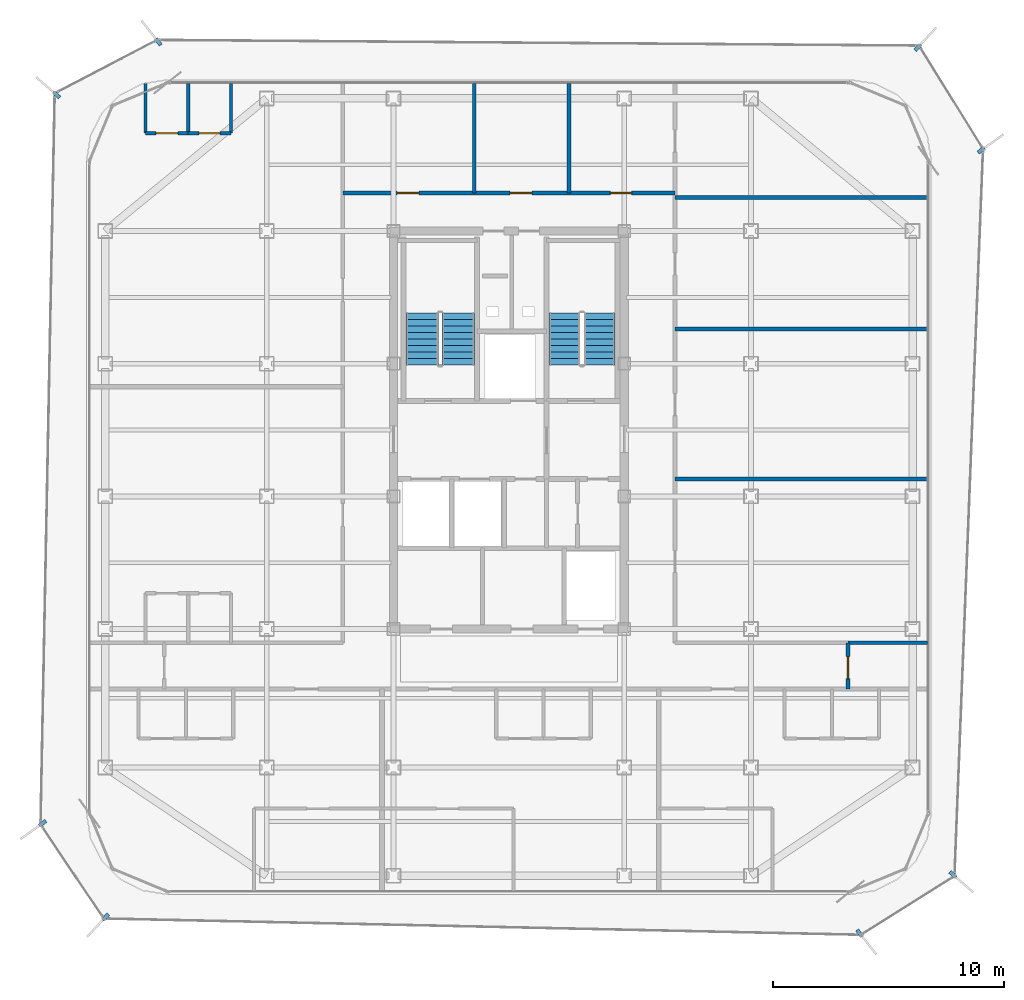
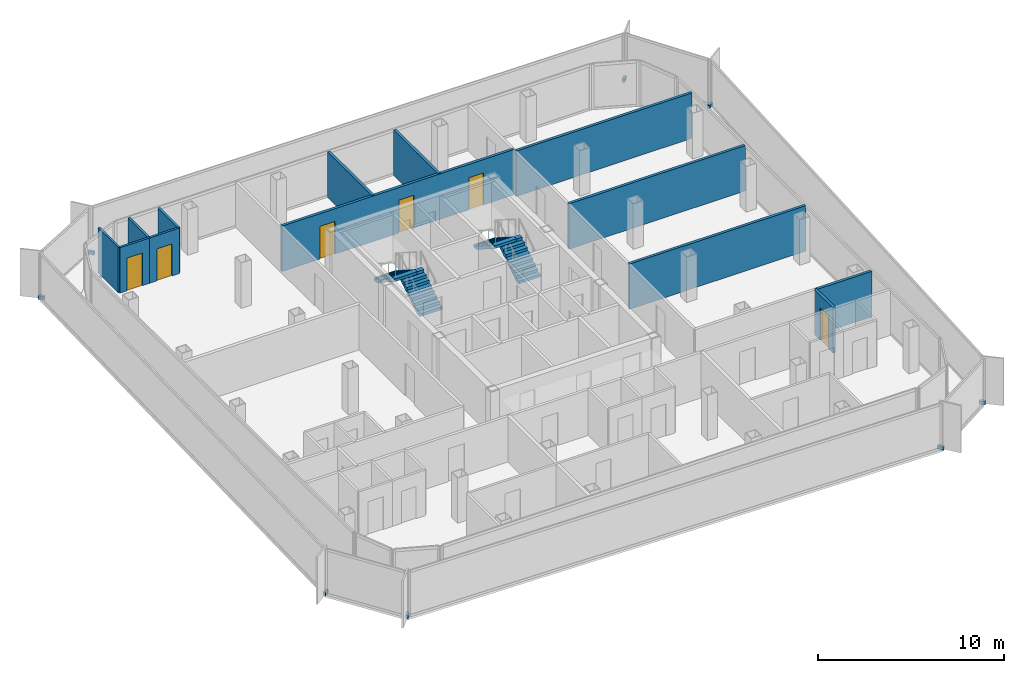
# One storey, part 12 of 15: 13 walls, 8 discrete accessories, 6 doors, 4 stair flights, 6 openings, 2 elements without a shape of their own.
"""IFC4 building model written with IfcOpenShell, lengths in metres."""

import ifcopenshell
import ifcopenshell.guid

model = None  # the IFC model being written
_history = None  # IfcOwnerHistory: only IFC2X3 demands one
_inside = {}  # id of a spatial element -> (the spatial element, [elements in it])
_under = {}  # id of a project, library or spatial element -> (it, [spatial elements below it])
_declared = {}  # id of a project -> (the project, [libraries it declares])
_typed = {}  # id of a type object -> (the type object, [elements of that type])
_made_of = {}  # id of a material, layer set ... -> (it, [elements and type objects made of it])


def new_model(schema):
    """Start an empty IFC model of exactly this schema.

    Asked for "IFC4X3", IfcOpenShell would pick the latest addendum, in which some entities
    have other attributes; the version numbers below select the first issue.
    IFC2X3 requires an IfcOwnerHistory on every rooted entity: one is made here for all.
    """
    global model, _history
    if schema == "IFC4X3":
        model = ifcopenshell.file(schema_version=(4, 3, 0, 0))
    else:
        model = ifcopenshell.file(schema=schema)
    _inside.clear()
    _under.clear()
    _declared.clear()
    _typed.clear()
    _made_of.clear()
    _history = None
    if model.schema == "IFC2X3":
        org = make("IfcOrganization", Name="unknown")
        user = make(
            "IfcPersonAndOrganization",
            ThePerson=make("IfcPerson", FamilyName="unknown"),
            TheOrganization=org,
        )
        app = make(
            "IfcApplication",
            ApplicationDeveloper=org,
            Version="unknown",
            ApplicationFullName="unknown",
            ApplicationIdentifier="unknown",
        )
        _history = make(
            "IfcOwnerHistory",
            OwningUser=user,
            OwningApplication=app,
            ChangeAction="ADDED",
            CreationDate=0,
        )
    return model


def make(cls, **values):
    """One entity of the class cls with the attributes given. An attribute that is None is left unset."""
    return model.create_entity(
        cls, **{name: value for name, value in values.items() if value is not None}
    )


def rooted(cls, **values):
    """An entity with a GlobalId (a new one), such as an element, a storey or a relation."""
    return make(cls, GlobalId=ifcopenshell.guid.new(), OwnerHistory=_history, **values)


def si_unit(unit_type, name, prefix=None):
    """IfcSIUnit, for example si_unit("LENGTHUNIT", "METRE", prefix="MILLI")."""
    return make("IfcSIUnit", UnitType=unit_type, Prefix=prefix, Name=name)


def assignment(units):
    """IfcUnitAssignment: the units of a project."""
    return None if units is None else make("IfcUnitAssignment", Units=units)


def point(xyz):
    """IfcCartesianPoint."""
    return None if xyz is None else make("IfcCartesianPoint", Coordinates=xyz)


def direction(xyz):
    """IfcDirection."""
    return None if xyz is None else make("IfcDirection", DirectionRatios=xyz)


def frame(location, z_axis=None, x_axis=None):
    """IfcAxis2Placement3D, a coordinate frame: its origin and axes. An axis left out is left unset."""
    return make(
        "IfcAxis2Placement3D",
        Location=point(location),
        Axis=direction(z_axis),
        RefDirection=direction(x_axis),
    )


def frame_2d(location, x_axis=None):
    """IfcAxis2Placement2D, a coordinate frame in the plane: its origin and x axis."""
    return make(
        "IfcAxis2Placement2D", Location=point(location), RefDirection=direction(x_axis)
    )


def origin():
    """The frame at (0, 0, 0) with its axes left unset."""
    return frame((0.0, 0.0, 0.0))


def origin_2d():
    """The frame at (0, 0) in the plane with its x axis left unset."""
    return frame_2d((0.0, 0.0))


def place(relative_to, where):
    """IfcLocalPlacement: puts the frame where relative to a parent placement (None: the world)."""
    return make(
        "IfcLocalPlacement", PlacementRelTo=relative_to, RelativePlacement=where
    )


def context(
    kind, dimensions, precision=None, world=None, true_north=None, identifier=None
):
    """IfcGeometricRepresentationContext, for example the 3D "Model" context."""
    return make(
        "IfcGeometricRepresentationContext",
        ContextIdentifier=identifier,
        ContextType=kind,
        CoordinateSpaceDimension=dimensions,
        Precision=precision,
        WorldCoordinateSystem=world,
        TrueNorth=true_north,
    )


def subcontext(parent, identifier, kind, view, scale=None):
    """IfcGeometricRepresentationSubContext, for example "Body" below "Model"."""
    return make(
        "IfcGeometricRepresentationSubContext",
        ContextIdentifier=identifier,
        ContextType=kind,
        ParentContext=parent,
        TargetScale=scale,
        TargetView=view,
    )


def project(units=None, contexts=None):
    """IfcProject with its units and contexts."""
    return rooted(
        "IfcProject",
        Name="project",
        RepresentationContexts=contexts,
        UnitsInContext=assignment(units),
    )


def spatial(cls, under=None, at=None, **own):
    """A site, building, storey or space (cls), placed at a placement, below another one or the project."""
    s = rooted(cls, ObjectPlacement=at, **own)
    if under is not None:
        _under.setdefault(under.id(), (under, []))[1].append(s)
    return s


def polyline(points):
    """IfcPolyline through the points."""
    return make("IfcPolyline", Points=[point(p) for p in points])


def profile(cls, at=None, kind="AREA", **sizes):
    """A parametric profile (cls). Its sizes go by their IFC names, for example OverallWidth=200.0."""
    return make(cls, ProfileType=kind, Position=at, **sizes)


def rectangle(**sizes):
    """IfcRectangleProfileDef."""
    return profile("IfcRectangleProfileDef", **sizes)


def outline(outer, holes=None, kind="AREA"):
    """IfcArbitraryClosedProfileDef: a profile drawn as a closed curve; with holes, ...WithVoids."""
    if holes is None:
        return make("IfcArbitraryClosedProfileDef", ProfileType=kind, OuterCurve=outer)
    return make(
        "IfcArbitraryProfileDefWithVoids",
        ProfileType=kind,
        OuterCurve=outer,
        InnerCurves=holes,
    )


def extrude(swept, where, along, depth):
    """IfcExtrudedAreaSolid: the profile swept, set in the frame where, extruded along a direction by depth."""
    return make(
        "IfcExtrudedAreaSolid",
        SweptArea=swept,
        Position=where,
        ExtrudedDirection=direction(along),
        Depth=depth,
    )


def shape(context_of_items, identifier, shape_type, items):
    """IfcShapeRepresentation: the items that make up one representation, for example the "Body"."""
    return make(
        "IfcShapeRepresentation",
        ContextOfItems=context_of_items,
        RepresentationIdentifier=identifier,
        RepresentationType=shape_type,
        Items=items,
    )


def source(mapping_origin, context_of_items, identifier, shape_type, items):
    """IfcRepresentationMap: a shape defined once, which mapped items show again and again."""
    return make(
        "IfcRepresentationMap",
        MappingOrigin=mapping_origin,
        MappedRepresentation=shape(context_of_items, identifier, shape_type, items),
    )


def transform(
    local_origin,
    x_axis=None,
    y_axis=None,
    z_axis=None,
    scale=None,
    scale2=None,
    scale3=None,
    uniform=True,
):
    """IfcCartesianTransformationOperator3D, or its non-uniform kind. x_axis, y_axis, z_axis: its Axis1, 2, 3."""
    if uniform:
        return make(
            "IfcCartesianTransformationOperator3D",
            Axis1=direction(x_axis),
            Axis2=direction(y_axis),
            LocalOrigin=point(local_origin),
            Scale=scale,
            Axis3=direction(z_axis),
        )
    return make(
        "IfcCartesianTransformationOperator3DnonUniform",
        Axis1=direction(x_axis),
        Axis2=direction(y_axis),
        LocalOrigin=point(local_origin),
        Scale=scale,
        Axis3=direction(z_axis),
        Scale2=scale2,
        Scale3=scale3,
    )


def mapped(mapping_source, mapping_target):
    """IfcMappedItem: shows the shape of a source again, moved by a transform."""
    return make(
        "IfcMappedItem", MappingSource=mapping_source, MappingTarget=mapping_target
    )


def material(Name=None, Category=None):
    """IfcMaterial."""
    return make("IfcMaterial", Name=Name, Category=Category)


def layer(
    of_material, thickness, ventilated=None, Name=None, Category=None, Priority=None
):
    """IfcMaterialLayer: one layer of a wall or slab, of a material (None: an air gap)."""
    return make(
        "IfcMaterialLayer",
        Material=of_material,
        LayerThickness=thickness,
        IsVentilated=ventilated,
        Name=Name,
        Category=Category,
        Priority=Priority,
    )


def layer_set(layers, Name=None):
    """IfcMaterialLayerSet."""
    return make("IfcMaterialLayerSet", MaterialLayers=layers, LayerSetName=Name)


def made_of(thing, what):
    """Note that an element or type object is made of a material, layer set ...; save() writes the relation."""
    if what is not None:
        _made_of.setdefault(what.id(), (what, []))[1].append(thing)
    return thing


def type_object(cls, material=None, **own):
    """A type object (cls), such as IfcWallType, which elements share."""
    return made_of(rooted(cls, **own), material)


def element(
    cls,
    number,
    at=None,
    inside=None,
    cuts=None,
    type_object=None,
    material=None,
    context=None,
    identifier="Body",
    shape_type=None,
    held_by="IfcProductDefinitionShape",
    body=None,
    shapes=None,
    **own,
):
    """One element of the class cls, such as IfcWall. Its Tag is "e" and its number.

    at: its placement. inside: the storey or other place that contains it. cuts: it is an
    opening in that element (IfcRelVoidsElement). A single representation is given by context,
    identifier, shape_type and body (its items); several are given by shapes. held_by: the class
    of the entity that holds the representations. save() writes the other relations.
    """
    e = rooted(cls, Tag="e%d" % number, ObjectPlacement=at, **own)
    if body is not None:
        shapes = [shape(context, identifier, shape_type, body)]
    if shapes is not None:
        e.Representation = make(held_by, Representations=shapes)
    if inside is not None:
        _inside.setdefault(inside.id(), (inside, []))[1].append(e)
    if cuts is not None:
        rooted(
            "IfcRelVoidsElement", RelatingBuildingElement=cuts, RelatedOpeningElement=e
        )
    if type_object is not None:
        _typed.setdefault(type_object.id(), (type_object, []))[1].append(e)
    return made_of(e, material)


def fill(opening, filler):
    """IfcRelFillsElement: the door or window that sits in an opening."""
    return rooted(
        "IfcRelFillsElement",
        RelatingOpeningElement=opening,
        RelatedBuildingElement=filler,
    )


def aggregate(whole, parts):
    """IfcRelAggregates: a whole, such as a stair, and the parts it consists of."""
    return rooted("IfcRelAggregates", RelatingObject=whole, RelatedObjects=parts)


def save(model, path):
    """Write the relations noted so far, then the file.

    IfcRelAggregates (storeys below a building ...), IfcRelContainedInSpatialStructure (elements
    in a storey), IfcRelDefinesByType, IfcRelAssociatesMaterial and IfcRelDeclares: one each for
    every whole, place, type object, material and project.
    """
    for whole, parts in _under.values():
        aggregate(whole, parts)
    for where, things in _inside.values():
        rooted(
            "IfcRelContainedInSpatialStructure",
            RelatedElements=things,
            RelatingStructure=where,
        )
    for kind, things in _typed.values():
        rooted("IfcRelDefinesByType", RelatedObjects=things, RelatingType=kind)
    for what, things in _made_of.values():
        rooted("IfcRelAssociatesMaterial", RelatedObjects=things, RelatingMaterial=what)
    for by, libraries in _declared.values():
        rooted("IfcRelDeclares", RelatingContext=by, RelatedDefinitions=libraries)
    model.write(path)


model = new_model("IFC4")

# Units and contexts
model_context = context("Model", 3, precision=1e-05, world=origin(), true_north=direction((0.0, 1.0)))
body_context = subcontext(model_context, "Body", "Model", "MODEL_VIEW")
ifc_project = project(units=[si_unit("LENGTHUNIT", "METRE"), si_unit("AREAUNIT", "SQUARE_METRE"), si_unit("VOLUMEUNIT", "CUBIC_METRE"), si_unit("PLANEANGLEUNIT", "RADIAN"), si_unit("MASSUNIT", "GRAM", prefix="KILO")], contexts=[model_context])

# Site, building, storey
site_placement = place(None, origin())
site = spatial("IfcSite", under=ifc_project, at=site_placement, CompositionType="ELEMENT")
building_placement = place(site_placement, origin())
building = spatial("IfcBuilding", under=site, at=building_placement, Name="Kolveth Station Tower", CompositionType="ELEMENT")
storey_placement = place(building_placement, frame((0.0, 0.0, 223.300048828125)))
storey = spatial("IfcBuildingStorey", under=building, at=storey_placement, Name="L63", CompositionType="ELEMENT", Elevation=223.300048828125)

# Wall, opening, door
ifc_material_1 = material(Name="Moisture-resistant gypsum partition")
ifc_layer_1 = layer(ifc_material_1, 0.135009765625)
ifc_layer_set_1 = layer_set([ifc_layer_1], Name="Moisture-resistant gypsum partition")
wall_type_1 = type_object("IfcWallType", Name="Wall_IW-135", PredefinedType="PARTITIONING", material=ifc_layer_set_1)
wall_1_placement = place(storey_placement, frame((7.75, 32.989990234375, 0.0), z_axis=(0.0, 0.0, 1.0), x_axis=(1.0, 0.0, 0.0)))
wall_1 = element("IfcWall", 1, at=wall_1_placement, inside=storey, type_object=wall_type_1, Name="L63 Partition Wall WL-L63-W2-IBHK", PredefinedType="PARTITIONING", context=body_context, shape_type="SweptSolid", body=[
    extrude(rectangle(XDim=1.85009765625, YDim=0.135009765625, at=frame_2d((0.925048828125, 0.0))), origin(), (0.0, 0.0, 1.0), 2.97998046875),
])
opening_1_placement = place(wall_1_placement, frame((0.445068359375, 0.0, 0.0)))
opening_1 = element("IfcOpeningElement", 2, at=opening_1_placement, cuts=wall_1, Name="Opening ID1", PredefinedType="OPENING", context=body_context, shape_type="SweptSolid", body=[
    extrude(rectangle(XDim=0.949951171875, YDim=2.14990234375, at=frame_2d((0.47509765625, 1.074951171875))), frame((0.0, 0.077392578125, 0.0), z_axis=(0.0, -1.0, 0.0), x_axis=(1.0, 0.0, 0.0)), (0.0, 0.0, 1.0), 0.155029296875),
])
ifc_material_2 = material(Name="Acoustic hardwood leaf and aluminium frame", Category="wood")
door_type_1 = type_object("IfcDoorType", Name="Door_ID1", OperationType="NOTDEFINED", PredefinedType="DOOR", material=ifc_material_2)
door_1_placement = place(opening_1_placement, frame((0.949951171875, 0.0, 0.0), z_axis=(0.0, 0.0, 1.0), x_axis=(-1.0, 0.0, 0.0)))
door_1 = element("IfcDoor", 3, at=door_1_placement, inside=storey, type_object=door_type_1, Name="Penthouse Flat L63-W2 Kitchen Door", OperationType="SINGLE_SWING_RIGHT", OverallHeight=2.14990234375, OverallWidth=0.949951171875, PredefinedType="DOOR", context=body_context, shape_type="SweptSolid", body=[
    extrude(rectangle(XDim=0.949951171875, YDim=2.14990234375, at=frame_2d((0.47509765625, 1.074951171875))), frame((0.0, 0.02490234375, 0.0), z_axis=(0.0, -1.0, 0.0), x_axis=(1.0, 0.0, 0.0)), (0.0, 0.0, 1.0), 0.050048828125),
])
fill(opening_1, door_1)

wall_2_placement = place(storey_placement, frame((9.60009765625, 32.989990234375, 0.0), z_axis=(0.0, 0.0, 1.0), x_axis=(1.0, 0.0, 0.0)))
wall_2 = element("IfcWall", 4, at=wall_2_placement, inside=storey, type_object=wall_type_1, Name="L63 Partition Wall WL-L63-W2-IBHB", PredefinedType="PARTITIONING", context=body_context, shape_type="SweptSolid", body=[
    extrude(rectangle(XDim=1.849853515625, YDim=0.135009765625, at=frame_2d((0.9248046875, 0.0))), origin(), (0.0, 0.0, 1.0), 2.97998046875),
])
opening_2_placement = place(wall_2_placement, frame((0.465087890625, 0.0, 0.0)))
opening_2 = element("IfcOpeningElement", 5, at=opening_2_placement, cuts=wall_2, Name="Opening ID2", PredefinedType="OPENING", context=body_context, shape_type="SweptSolid", body=[
    extrude(rectangle(XDim=0.919921875, YDim=2.10009765625, at=frame_2d((0.4599609375, 1.050048828125))), frame((0.0, 0.077392578125, 0.0), z_axis=(0.0, -1.0, 0.0), x_axis=(1.0, 0.0, 0.0)), (0.0, 0.0, 1.0), 0.155029296875),
])
ifc_material_3 = material(Name="Moisture-resistant hardwood leaf", Category="wood")
door_type_2 = type_object("IfcDoorType", Name="Door_ID2", OperationType="NOTDEFINED", PredefinedType="DOOR", material=ifc_material_3)
door_2_placement = place(opening_2_placement, frame((0.919921875, 0.0, 0.0), z_axis=(0.0, 0.0, 1.0), x_axis=(-1.0, 0.0, 0.0)))
door_2 = element("IfcDoor", 6, at=door_2_placement, inside=storey, type_object=door_type_2, Name="Penthouse Flat L63-W2 Bathroom Door", OperationType="SINGLE_SWING_LEFT", OverallHeight=2.10009765625, OverallWidth=0.919921875, PredefinedType="DOOR", context=body_context, shape_type="SweptSolid", body=[
    extrude(rectangle(XDim=0.919921875, YDim=2.10009765625, at=frame_2d((0.4599609375, 1.050048828125))), frame((0.0, 0.02490234375, 0.0), z_axis=(0.0, -1.0, 0.0), x_axis=(1.0, 0.0, 0.0)), (0.0, 0.0, 1.0), 0.050048828125),
])
fill(opening_2, door_2)

# Walls
for number, where, z_axis, x_axis, name in (
    (7, (7.75, 32.989990234375, 0.0), (0.0, 0.0, 1.0), (0.0, 1.0, 0.0), "L63 Partition Wall WL-L63-W2-IBV0"),
    (8, (9.60009765625, 32.989990234375, 0.0), (0.0, 0.0, 1.0), (0.0, 1.0, 0.0), "L63 Partition Wall WL-L63-W2-IBV1"),
    (9, (11.449951171875, 32.989990234375, 0.0), (0.0, 0.0, 1.0), (0.0, 1.0, 0.0), "L63 Partition Wall WL-L63-W2-IBV2"),
):
    element("IfcWall", number, at=place(storey_placement, frame(where, z_axis=z_axis, x_axis=x_axis)), inside=storey, type_object=wall_type_1, Name=name, PredefinedType="PARTITIONING", context=body_context, shape_type="SweptSolid", body=[
        extrude(rectangle(XDim=2.14990234375, YDim=0.135009765625, at=frame_2d((1.074951171875, 0.0))), origin(), (0.0, 0.0, 1.0), 2.97998046875),
    ])

# Wall, opening, door
ifc_material_4 = material(Name="Acoustic double-stud gypsum partition")
ifc_layer_2 = layer(ifc_material_4, 0.1650390625)
ifc_layer_set_2 = layer_set([ifc_layer_2], Name="Acoustic double-stud gypsum partition")
wall_type_2 = type_object("IfcWallType", Name="Wall_IW-165", PredefinedType="PARTITIONING", material=ifc_layer_set_2)
wall_3_placement = place(storey_placement, frame((38.199951171875, 8.89990234375, 0.0), z_axis=(0.0, 0.0, 1.0), x_axis=(0.0, 1.0, 0.0)))
wall_3 = element("IfcWall", 10, at=wall_3_placement, inside=storey, type_object=wall_type_2, Name="L63 Partition Wall WL-L63-RSEE", PredefinedType="PARTITIONING", context=body_context, shape_type="SweptSolid", body=[
    extrude(rectangle(XDim=2.0, YDim=0.1650390625, at=frame_2d((1.0, 0.0))), origin(), (0.0, 0.0, 1.0), 2.97998046875),
])
opening_3_placement = place(wall_3_placement, frame((0.449951171875, 0.0, 0.0)))
opening_3 = element("IfcOpeningElement", 11, at=opening_3_placement, cuts=wall_3, Name="Opening ID1", PredefinedType="OPENING", context=body_context, shape_type="SweptSolid", body=[
    extrude(rectangle(XDim=0.949951171875, YDim=2.14990234375, at=frame_2d((0.47509765625, 1.074951171875))), frame((0.0, 0.092529296875, 0.0), z_axis=(0.0, -1.0, 0.0), x_axis=(1.0, 0.0, 0.0)), (0.0, 0.0, 1.0), 0.18505859375),
])
door_3_placement = place(opening_3_placement, origin())
door_3 = element("IfcDoor", 12, at=door_3_placement, inside=storey, type_object=door_type_1, Name="L63 Hobby Study Door", OperationType="SINGLE_SWING_RIGHT", OverallHeight=2.14990234375, OverallWidth=0.949951171875, PredefinedType="DOOR", context=body_context, shape_type="SweptSolid", body=[
    extrude(rectangle(XDim=0.949951171875, YDim=2.14990234375, at=frame_2d((0.47509765625, 1.074951171875))), frame((0.0, 0.02490234375, 0.0), z_axis=(0.0, -1.0, 0.0), x_axis=(1.0, 0.0, 0.0)), (0.0, 0.0, 1.0), 0.050048828125),
])
fill(opening_3, door_3)

# Wall, openings, doors
wall_4_placement = place(storey_placement, frame((16.300048828125, 30.39990234375, 0.0), z_axis=(0.0, 0.0, 1.0), x_axis=(1.0, 0.0, 0.0)))
wall_4 = element("IfcWall", 13, at=wall_4_placement, inside=storey, type_object=wall_type_2, Name="L63 Partition Wall WL-L63-RN", PredefinedType="PARTITIONING", context=body_context, shape_type="SweptSolid", body=[
    extrude(rectangle(XDim=14.39990234375, YDim=0.1650390625, at=frame_2d((7.199951171875, 0.0))), origin(), (0.0, 0.0, 1.0), 2.97998046875),
])
opening_4_placement = place(wall_4_placement, frame((2.35009765625, 0.0, 0.0)))
opening_4 = element("IfcOpeningElement", 14, at=opening_4_placement, cuts=wall_4, Name="Opening ID1", PredefinedType="OPENING", context=body_context, shape_type="SweptSolid", body=[
    extrude(rectangle(XDim=0.949951171875, YDim=2.14990234375, at=frame_2d((0.47509765625, 1.074951171875))), frame((0.0, 0.092529296875, 0.0), z_axis=(0.0, -1.0, 0.0), x_axis=(1.0, 0.0, 0.0)), (0.0, 0.0, 1.0), 0.18505859375),
])
opening_5_placement = place(wall_4_placement, frame((7.25, 0.0, 0.0)))
opening_5 = element("IfcOpeningElement", 15, at=opening_5_placement, cuts=wall_4, Name="Opening ID1", PredefinedType="OPENING", context=body_context, shape_type="SweptSolid", body=[
    extrude(rectangle(XDim=0.949951171875, YDim=2.14990234375, at=frame_2d((0.47509765625, 1.074951171875))), frame((0.0, 0.092529296875, 0.0), z_axis=(0.0, -1.0, 0.0), x_axis=(1.0, 0.0, 0.0)), (0.0, 0.0, 1.0), 0.18505859375),
])
opening_6_placement = place(wall_4_placement, frame((11.60009765625, 0.0, 0.0)))
opening_6 = element("IfcOpeningElement", 16, at=opening_6_placement, cuts=wall_4, Name="Opening ID2", PredefinedType="OPENING", context=body_context, shape_type="SweptSolid", body=[
    extrude(rectangle(XDim=0.919921875, YDim=2.10009765625, at=frame_2d((0.4599609375, 1.050048828125))), frame((0.0, 0.092529296875, 0.0), z_axis=(0.0, -1.0, 0.0), x_axis=(1.0, 0.0, 0.0)), (0.0, 0.0, 1.0), 0.18505859375),
])
door_4_placement = place(opening_4_placement, origin())
door_4 = element("IfcDoor", 17, at=door_4_placement, inside=storey, type_object=door_type_1, Name="L63 Residents' Study Lounge Door", OperationType="SINGLE_SWING_LEFT", OverallHeight=2.14990234375, OverallWidth=0.949951171875, PredefinedType="DOOR", context=body_context, shape_type="SweptSolid", body=[
    extrude(rectangle(XDim=0.949951171875, YDim=2.14990234375, at=frame_2d((0.47509765625, 1.074951171875))), frame((0.0, 0.02490234375, 0.0), z_axis=(0.0, -1.0, 0.0), x_axis=(1.0, 0.0, 0.0)), (0.0, 0.0, 1.0), 0.050048828125),
])
fill(opening_4, door_4)
door_5_placement = place(opening_5_placement, origin())
door_5 = element("IfcDoor", 18, at=door_5_placement, inside=storey, type_object=door_type_1, Name="L63 Residents' Linen Store Door", OperationType="SINGLE_SWING_RIGHT", OverallHeight=2.14990234375, OverallWidth=0.949951171875, PredefinedType="DOOR", context=body_context, shape_type="SweptSolid", body=[
    extrude(rectangle(XDim=0.949951171875, YDim=2.14990234375, at=frame_2d((0.47509765625, 1.074951171875))), frame((0.0, 0.02490234375, 0.0), z_axis=(0.0, -1.0, 0.0), x_axis=(1.0, 0.0, 0.0)), (0.0, 0.0, 1.0), 0.050048828125),
])
fill(opening_5, door_5)
door_6_placement = place(opening_6_placement, origin())
door_6 = element("IfcDoor", 19, at=door_6_placement, inside=storey, type_object=door_type_2, Name="L63 Accessible Residents' WC Door", OperationType="SINGLE_SWING_LEFT", OverallHeight=2.10009765625, OverallWidth=0.919921875, PredefinedType="DOOR", context=body_context, shape_type="SweptSolid", body=[
    extrude(rectangle(XDim=0.919921875, YDim=2.10009765625, at=frame_2d((0.4599609375, 1.050048828125))), frame((0.0, 0.02490234375, 0.0), z_axis=(0.0, -1.0, 0.0), x_axis=(1.0, 0.0, 0.0)), (0.0, 0.0, 1.0), 0.050048828125),
])
fill(opening_6, door_6)

# Walls
wall_5_placement = place(storey_placement, frame((38.199951171875, 10.89990234375, 0.0), z_axis=(0.0, 0.0, 1.0), x_axis=(1.0, 0.0, 0.0)))
element("IfcWall", 20, at=wall_5_placement, inside=storey, type_object=wall_type_2, Name="L63 Partition Wall WL-L63-ESTN", PredefinedType="PARTITIONING", context=body_context, shape_type="SweptSolid", body=[
    extrude(rectangle(XDim=3.43994140625, YDim=0.1650390625, at=frame_2d((1.719970703125, 0.0))), origin(), (0.0, 0.0, 1.0), 2.97998046875),
])
for number, where, z_axis, x_axis, name in (
    (21, (30.699951171875, 18.0, 0.0), (0.0, 0.0, 1.0), (1.0, 0.0, 0.0), "L63 Partition Wall WL-L63-REA-P1"),
    (22, (30.699951171875, 24.5, 0.0), (0.0, 0.0, 1.0), (1.0, 0.0, 0.0), "L63 Partition Wall WL-L63-REA-P2"),
    (23, (30.699951171875, 30.199951171875, 0.0), (0.0, 0.0, 1.0), (1.0, 0.0, 0.0), "L63 Partition Wall WL-L63-REA-P3"),
):
    element("IfcWall", number, at=place(storey_placement, frame(where, z_axis=z_axis, x_axis=x_axis)), inside=storey, type_object=wall_type_2, Name=name, PredefinedType="PARTITIONING", context=body_context, shape_type="SweptSolid", body=[
        extrude(rectangle(XDim=10.93994140625, YDim=0.1650390625, at=frame_2d((5.469970703125, 0.0))), origin(), (0.0, 0.0, 1.0), 2.97998046875),
    ])
for number, where, z_axis, x_axis, name in (
    (24, (22.0, 30.39990234375, 0.0), (0.0, 0.0, 1.0), (0.0, 1.0, 0.0), "L63 Partition Wall WL-L63-RN-P1"),
    (25, (26.10009765625, 30.39990234375, 0.0), (0.0, 0.0, 1.0), (0.0, 1.0, 0.0), "L63 Partition Wall WL-L63-RN-P2"),
):
    element("IfcWall", number, at=place(storey_placement, frame(where, z_axis=z_axis, x_axis=x_axis)), inside=storey, type_object=wall_type_2, Name=name, PredefinedType="PARTITIONING", context=body_context, shape_type="SweptSolid", body=[
        extrude(rectangle(XDim=4.739990234375, YDim=0.1650390625, at=frame_2d((2.3701171875, 0.0))), origin(), (0.0, 0.0, 1.0), 2.97998046875),
    ])

# Stair, stair flights
ifc_material_5 = material(Name="Concrete C40/50", Category="concrete")
stair_type_1 = type_object("IfcStairType", Name="Stair_ST1", PredefinedType="HALF_TURN_STAIR", material=ifc_material_5)
stair_1_placement = place(storey_placement, origin())
stair_1 = element("IfcStair", 26, at=stair_1_placement, inside=storey, type_object=stair_type_1, Name="L63 Tower Exit Stair ST1", PredefinedType="HALF_TURN_STAIR")
ifc_layer_3 = layer(ifc_material_5, 0.179931640625)
ifc_layer_set_3 = layer_set([ifc_layer_3], Name="Concrete C40/50")
stair_flight_type_1 = type_object("IfcStairFlightType", Name="Flight_ST1", PredefinedType="STRAIGHT", material=ifc_layer_set_3)
stair_flight_1_placement = place(storey_placement, frame((21.300048828125, 22.949951171875, 0.0), z_axis=(0.0, 0.0, 1.0), x_axis=(0.0, 1.0, 0.0)))
stair_flight_1 = element("IfcStairFlight", 27, at=stair_flight_1_placement, type_object=stair_flight_type_1, Name="ST1 flight 1", NumberOfRisers=9, NumberOfTreads=8, PredefinedType="STRAIGHT", RiserHeight=0.177777778, TreadLength=0.28, context=body_context, shape_type="SweptSolid", body=[
    extrude(outline(polyline([(0.0, 0.0), (0.0, 0.177734375), (0.280029296875, 0.177734375), (0.280029296875, 0.35546875), (0.56005859375, 0.35546875), (0.56005859375, 0.533447265625), (0.840087890625, 0.533447265625), (0.840087890625, 0.711181640625), (1.1201171875, 0.711181640625), (1.1201171875, 0.888916015625), (1.39990234375, 0.888916015625), (1.39990234375, 1.066650390625), (1.679931640625, 1.066650390625), (1.679931640625, 1.244384765625), (1.9599609375, 1.244384765625), (1.9599609375, 1.422119140625), (2.239990234375, 1.422119140625), (2.239990234375, 1.60009765625), (2.239990234375, 1.24462890625), (0.27978515625, 0.0), (0.0, 0.0)])), frame((0.0, 0.699951171875, 0.0), z_axis=(0.0, -1.0, 0.0), x_axis=(1.0, 0.0, 0.0)), (0.0, 0.0, 1.0), 1.39990234375),
])
stair_flight_2_placement = place(storey_placement, frame((19.739990234375, 25.18994140625, 1.599853515625), z_axis=(0.0, 0.0, 1.0), x_axis=(0.0, -1.0, 0.0)))
stair_flight_2 = element("IfcStairFlight", 28, at=stair_flight_2_placement, type_object=stair_flight_type_1, Name="ST1 flight 2", NumberOfRisers=9, NumberOfTreads=8, PredefinedType="STRAIGHT", RiserHeight=0.177777778, TreadLength=0.28, context=body_context, shape_type="SweptSolid", body=[
    extrude(outline(polyline([(0.0, 0.0), (0.0, 0.177734375), (0.280029296875, 0.177734375), (0.280029296875, 0.35546875), (0.56005859375, 0.35546875), (0.56005859375, 0.533447265625), (0.840087890625, 0.533447265625), (0.840087890625, 0.711181640625), (1.1201171875, 0.711181640625), (1.1201171875, 0.888916015625), (1.39990234375, 0.888916015625), (1.39990234375, 1.066650390625), (1.679931640625, 1.066650390625), (1.679931640625, 1.244384765625), (1.9599609375, 1.244384765625), (1.9599609375, 1.422119140625), (2.239990234375, 1.422119140625), (2.239990234375, 1.60009765625), (2.239990234375, 1.24462890625), (0.27978515625, 0.0), (0.0, 0.0)])), frame((0.0, 0.699951171875, 0.0), z_axis=(0.0, -1.0, 0.0), x_axis=(1.0, 0.0, 0.0)), (0.0, 0.0, 1.0), 1.39990234375),
])
aggregate(stair_1, [stair_flight_1, stair_flight_2])

stair_type_2 = type_object("IfcStairType", Name="Stair_ST2", PredefinedType="HALF_TURN_STAIR", material=ifc_material_5)
stair_2_placement = place(storey_placement, origin())
stair_2 = element("IfcStair", 29, at=stair_2_placement, inside=storey, type_object=stair_type_2, Name="L63 Tower Exit Stair ST2", PredefinedType="HALF_TURN_STAIR")
ifc_layer_4 = layer(ifc_material_5, 0.179931640625)
ifc_layer_set_4 = layer_set([ifc_layer_4], Name="Concrete C40/50")
stair_flight_type_2 = type_object("IfcStairFlightType", Name="Flight_ST2", PredefinedType="STRAIGHT", material=ifc_layer_set_4)
stair_flight_3_placement = place(storey_placement, frame((27.425048828125, 22.949951171875, 0.0), z_axis=(0.0, 0.0, 1.0), x_axis=(0.0, 1.0, 0.0)))
stair_flight_3 = element("IfcStairFlight", 30, at=stair_flight_3_placement, type_object=stair_flight_type_2, Name="ST2 flight 1", NumberOfRisers=9, NumberOfTreads=8, PredefinedType="STRAIGHT", RiserHeight=0.177777778, TreadLength=0.28, context=body_context, shape_type="SweptSolid", body=[
    extrude(outline(polyline([(0.0, 0.0), (0.0, 0.177734375), (0.280029296875, 0.177734375), (0.280029296875, 0.35546875), (0.56005859375, 0.35546875), (0.56005859375, 0.533447265625), (0.840087890625, 0.533447265625), (0.840087890625, 0.711181640625), (1.1201171875, 0.711181640625), (1.1201171875, 0.888916015625), (1.39990234375, 0.888916015625), (1.39990234375, 1.066650390625), (1.679931640625, 1.066650390625), (1.679931640625, 1.244384765625), (1.9599609375, 1.244384765625), (1.9599609375, 1.422119140625), (2.239990234375, 1.422119140625), (2.239990234375, 1.60009765625), (2.239990234375, 1.24462890625), (0.27978515625, 0.0), (0.0, 0.0)])), frame((0.0, 0.675048828125, 0.0), z_axis=(0.0, -1.0, 0.0), x_axis=(1.0, 0.0, 0.0)), (0.0, 0.0, 1.0), 1.35009765625),
])
stair_flight_4_placement = place(storey_placement, frame((25.9150390625, 25.18994140625, 1.599853515625), z_axis=(0.0, 0.0, 1.0), x_axis=(0.0, -1.0, 0.0)))
stair_flight_4 = element("IfcStairFlight", 31, at=stair_flight_4_placement, type_object=stair_flight_type_2, Name="ST2 flight 2", NumberOfRisers=9, NumberOfTreads=8, PredefinedType="STRAIGHT", RiserHeight=0.177777778, TreadLength=0.28, context=body_context, shape_type="SweptSolid", body=[
    extrude(outline(polyline([(0.0, 0.0), (0.0, 0.177734375), (0.280029296875, 0.177734375), (0.280029296875, 0.35546875), (0.56005859375, 0.35546875), (0.56005859375, 0.533447265625), (0.840087890625, 0.533447265625), (0.840087890625, 0.711181640625), (1.1201171875, 0.711181640625), (1.1201171875, 0.888916015625), (1.39990234375, 0.888916015625), (1.39990234375, 1.066650390625), (1.679931640625, 1.066650390625), (1.679931640625, 1.244384765625), (1.9599609375, 1.244384765625), (1.9599609375, 1.422119140625), (2.239990234375, 1.422119140625), (2.239990234375, 1.60009765625), (2.239990234375, 1.24462890625), (0.27978515625, 0.0), (0.0, 0.0)])), frame((0.0, 0.675048828125, 0.0), z_axis=(0.0, -1.0, 0.0), x_axis=(1.0, 0.0, 0.0)), (0.0, 0.0, 1.0), 1.35009765625),
])
aggregate(stair_2, [stair_flight_3, stair_flight_4])

# Discrete accessories
ifc_material_6 = material(Name="Steel S355", Category="steel")
discrete_accessory_type = type_object("IfcDiscreteAccessoryType", Name="Bracket_BK1", PredefinedType="BRACKET", material=ifc_material_6)
shared_shape = source(origin(), body_context, "Body", "SweptSolid", [
    extrude(rectangle(XDim=0.35009765625, YDim=0.159912109375, at=origin_2d()), origin(), (0.0, 0.0, 1.0), 0.219970703125),
])
for number, where, z_axis, x_axis, name in (
    (32, (38.701904296875, -1.68505859375, -0.06005859375), (0.0, 0.0, 1.0), (0.618134041883, -0.786072710546, 0.0), "L63 Double-Skin Radial Tie Bracket 1"),
    (33, (42.7470703125, 0.85498046875, -0.06005859375), (0.0, 0.0, 1.0), (0.7534486472, -0.657506757404, 0.0), "L63 Double-Skin Radial Tie Bracket 2"),
    (34, (43.97900390625, 32.2529296875, -0.06005859375), (0.0, 0.0, 1.0), (0.814216857742, 0.580560856904, 0.0), "L63 Double-Skin Radial Tie Bracket 3"),
    (35, (41.22509765625, 36.708984375, -0.06005859375), (0.0, 0.0, 1.0), (0.680976533192, 0.732305237754, 0.0), "L63 Double-Skin Radial Tie Bracket 4"),
    (36, (8.302978515625, 36.947998046875, -0.06005859375), (0.0, 0.0, 1.0), (-0.618682673481, 0.78564098005, 0.0), "L63 Double-Skin Radial Tie Bracket 5"),
    (37, (3.89404296875, 34.65087890625, -0.06005859375), (0.0, 0.0, 1.0), (-0.755510544084, 0.6551364879, 0.0), "L63 Double-Skin Radial Tie Bracket 6"),
    (38, (3.285888671875, 3.0810546875, -0.06005859375), (0.0, 0.0, 1.0), (-0.811267958321, -0.584674524674, 0.0), "L63 Double-Skin Radial Tie Bracket 7"),
    (39, (6.01904296875, -0.985107421875, -0.06005859375), (0.0, 0.0, 1.0), (-0.684165325029, -0.729326955506, 0.0), "L63 Double-Skin Radial Tie Bracket 8"),
):
    element("IfcDiscreteAccessory", number, at=place(storey_placement, frame(where, z_axis=z_axis, x_axis=x_axis)), inside=storey, type_object=discrete_accessory_type, Name=name, PredefinedType="BRACKET", context=body_context, shape_type="MappedRepresentation", body=[
        mapped(shared_shape, transform((0.0, 0.0, 0.0), x_axis=(1.0, 0.0, 0.0), y_axis=(0.0, 1.0, 0.0), z_axis=(0.0, 0.0, 1.0), scale=1.0)),
    ])

save(model, "model.ifc")
